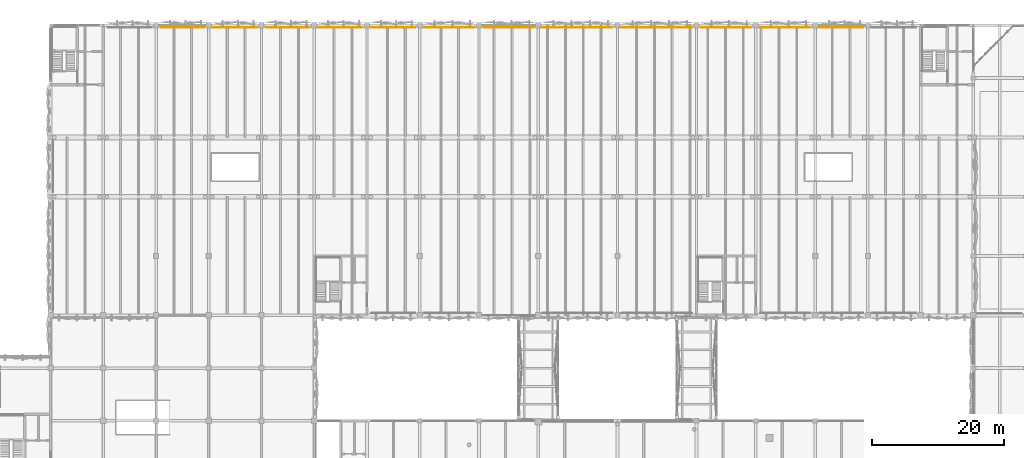
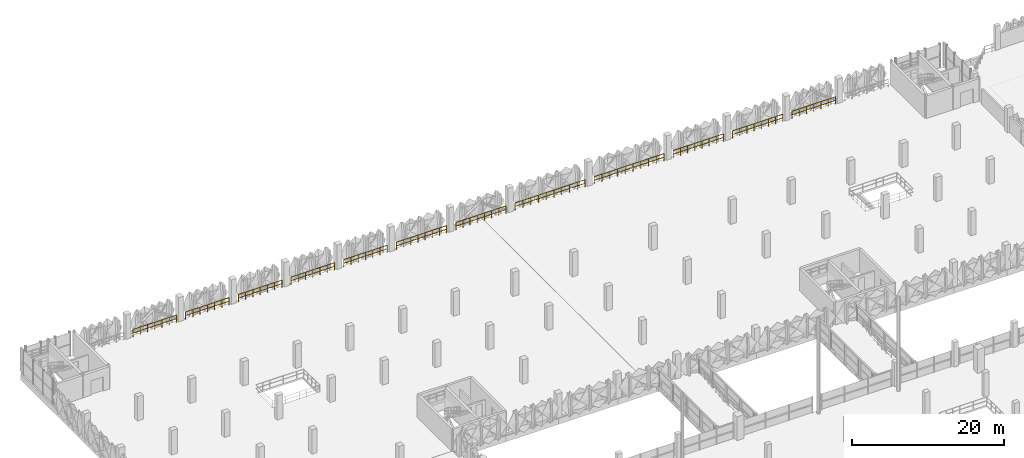
# One storey, part 122 of 123: 12 railings.
"""IFC4 building model written with IfcOpenShell, lengths in metres."""

from ifc_helpers import new_model, si_unit, derived_unit, direction, frame, origin, origin_2d, place, context, subcontext, project, spatial, circle, extrude, material, type_object, element, save


model = new_model("IFC4")

# Units and contexts
model_context = context("Model", 3, precision=1e-05, world=origin(), true_north=direction((0.0, 1.0)))
body_context = subcontext(model_context, "Body", "Model", "MODEL_VIEW")
ifc_project = project(units=[si_unit("LENGTHUNIT", "METRE"), si_unit("AREAUNIT", "SQUARE_METRE"), si_unit("VOLUMEUNIT", "CUBIC_METRE"), si_unit("PLANEANGLEUNIT", "RADIAN"), si_unit("MASSUNIT", "GRAM", prefix="KILO"), si_unit("THERMODYNAMICTEMPERATUREUNIT", "KELVIN"), derived_unit("THERMALTRANSMITTANCEUNIT", [(si_unit("POWERUNIT", "WATT"), 1), (si_unit("AREAUNIT", "SQUARE_METRE"), -1), (si_unit("THERMODYNAMICTEMPERATUREUNIT", "KELVIN"), -1)])], contexts=[model_context])

# Site, building, storey
site_placement = place(None, origin())
site = spatial("IfcSite", under=ifc_project, at=site_placement, CompositionType="ELEMENT")
building_placement = place(site_placement, origin())
building = spatial("IfcBuilding", under=site, at=building_placement, Name="Haiyu Intermodal Mobility Hub", CompositionType="ELEMENT")
storey_placement = place(building_placement, frame((0.0, 0.0, 5.60009765625)))
storey = spatial("IfcBuildingStorey", under=building, at=storey_placement, Name="L01", CompositionType="ELEMENT", Elevation=5.60009765625)

# Railings
ifc_material = material(Name="Steel Q355C", Category="steel")
railing_type = type_object("IfcRailingType", Name="RAL-GR01", PredefinedType="GUARDRAIL", material=ifc_material)
railing_1_placement = place(storey_placement, frame((45.300048828125, 147.659912109375, 0.0)))
element("IfcRailing", 1, at=railing_1_placement, inside=storey, type_object=railing_type, Name="RAL-CAR-N-0014", PredefinedType="GUARDRAIL", context=body_context, shape_type="SweptSolid", body=[
    extrude(circle(Radius=0.02392578125, at=origin_2d()), frame((-0.030029296875, 0.0, 1.17578125), z_axis=(-1.0, 0.0, 0.0), x_axis=(0.0, -1.0, 0.0)), (0.0, 0.0, 1.0), 6.5400390625),
    extrude(circle(Radius=0.02392578125, at=origin_2d()), frame((-0.037353515625, 0.0, 0.60009765625), z_axis=(-1.0, 0.0, 0.0), x_axis=(0.0, -1.0, 0.0)), (0.0, 0.0, 1.0), 1.025390625),
    extrude(circle(Radius=0.02392578125, at=origin_2d()), frame((-1.13720703125, 0.0, 0.60009765625), z_axis=(-1.0, 0.0, 0.0), x_axis=(0.0, -1.0, 0.0)), (0.0, 0.0, 1.0), 1.025390625),
    extrude(circle(Radius=0.02392578125, at=origin_2d()), frame((-2.2373046875, 0.0, 0.60009765625), z_axis=(-1.0, 0.0, 0.0), x_axis=(0.0, -1.0, 0.0)), (0.0, 0.0, 1.0), 1.025390625),
    extrude(circle(Radius=0.02392578125, at=origin_2d()), frame((-3.33740234375, 0.0, 0.60009765625), z_axis=(-1.0, 0.0, 0.0), x_axis=(0.0, -1.0, 0.0)), (0.0, 0.0, 1.0), 1.025390625),
    extrude(circle(Radius=0.02392578125, at=origin_2d()), frame((-4.437255859375, 0.0, 0.60009765625), z_axis=(-1.0, 0.0, 0.0), x_axis=(0.0, -1.0, 0.0)), (0.0, 0.0, 1.0), 1.025390625),
    extrude(circle(Radius=0.02392578125, at=origin_2d()), frame((-5.537353515625, 0.0, 0.60009765625), z_axis=(-1.0, 0.0, 0.0), x_axis=(0.0, -1.0, 0.0)), (0.0, 0.0, 1.0), 1.025390625),
    extrude(circle(Radius=0.02099609375, at=origin_2d()), origin(), (0.0, 0.0, 1.0), 1.143798828125),
    extrude(circle(Radius=0.02099609375, at=origin_2d()), frame((-1.10009765625, 0.0, 0.0)), (0.0, 0.0, 1.0), 1.143798828125),
    extrude(circle(Radius=0.02099609375, at=origin_2d()), frame((-2.199951171875, 0.0, 0.0)), (0.0, 0.0, 1.0), 1.143798828125),
    extrude(circle(Radius=0.02099609375, at=origin_2d()), frame((-3.300048828125, 0.0, 0.0)), (0.0, 0.0, 1.0), 1.143798828125),
    extrude(circle(Radius=0.02099609375, at=origin_2d()), frame((-4.400146484375, 0.0, 0.0)), (0.0, 0.0, 1.0), 1.143798828125),
    extrude(circle(Radius=0.02099609375, at=origin_2d()), frame((-5.5, 0.0, 0.0)), (0.0, 0.0, 1.0), 1.143798828125),
    extrude(circle(Radius=0.02099609375, at=origin_2d()), frame((-6.60009765625, 0.0, 0.0)), (0.0, 0.0, 1.0), 1.143798828125),
])
railing_2_placement = place(storey_placement, frame((53.300048828125, 147.659912109375, 0.0)))
element("IfcRailing", 2, at=railing_2_placement, inside=storey, type_object=railing_type, Name="RAL-CAR-N-0020", PredefinedType="GUARDRAIL", context=body_context, shape_type="SweptSolid", body=[
    extrude(circle(Radius=0.02392578125, at=origin_2d()), frame((-0.030029296875, 0.0, 1.17578125), z_axis=(-1.0, 0.0, 0.0), x_axis=(0.0, -1.0, 0.0)), (0.0, 0.0, 1.0), 6.5400390625),
    extrude(circle(Radius=0.02392578125, at=origin_2d()), frame((-0.037353515625, 0.0, 0.60009765625), z_axis=(-1.0, 0.0, 0.0), x_axis=(0.0, -1.0, 0.0)), (0.0, 0.0, 1.0), 1.025390625),
    extrude(circle(Radius=0.02392578125, at=origin_2d()), frame((-1.13720703125, 0.0, 0.60009765625), z_axis=(-1.0, 0.0, 0.0), x_axis=(0.0, -1.0, 0.0)), (0.0, 0.0, 1.0), 1.025390625),
    extrude(circle(Radius=0.02392578125, at=origin_2d()), frame((-2.2373046875, 0.0, 0.60009765625), z_axis=(-1.0, 0.0, 0.0), x_axis=(0.0, -1.0, 0.0)), (0.0, 0.0, 1.0), 1.025390625),
    extrude(circle(Radius=0.02392578125, at=origin_2d()), frame((-3.33740234375, 0.0, 0.60009765625), z_axis=(-1.0, 0.0, 0.0), x_axis=(0.0, -1.0, 0.0)), (0.0, 0.0, 1.0), 1.025390625),
    extrude(circle(Radius=0.02392578125, at=origin_2d()), frame((-4.437255859375, 0.0, 0.60009765625), z_axis=(-1.0, 0.0, 0.0), x_axis=(0.0, -1.0, 0.0)), (0.0, 0.0, 1.0), 1.025390625),
    extrude(circle(Radius=0.02392578125, at=origin_2d()), frame((-5.537353515625, 0.0, 0.60009765625), z_axis=(-1.0, 0.0, 0.0), x_axis=(0.0, -1.0, 0.0)), (0.0, 0.0, 1.0), 1.025390625),
    extrude(circle(Radius=0.02099609375, at=origin_2d()), origin(), (0.0, 0.0, 1.0), 1.143798828125),
    extrude(circle(Radius=0.02099609375, at=origin_2d()), frame((-1.10009765625, 0.0, 0.0)), (0.0, 0.0, 1.0), 1.143798828125),
    extrude(circle(Radius=0.02099609375, at=origin_2d()), frame((-2.199951171875, 0.0, 0.0)), (0.0, 0.0, 1.0), 1.143798828125),
    extrude(circle(Radius=0.02099609375, at=origin_2d()), frame((-3.300048828125, 0.0, 0.0)), (0.0, 0.0, 1.0), 1.143798828125),
    extrude(circle(Radius=0.02099609375, at=origin_2d()), frame((-4.400146484375, 0.0, 0.0)), (0.0, 0.0, 1.0), 1.143798828125),
    extrude(circle(Radius=0.02099609375, at=origin_2d()), frame((-5.5, 0.0, 0.0)), (0.0, 0.0, 1.0), 1.143798828125),
    extrude(circle(Radius=0.02099609375, at=origin_2d()), frame((-6.60009765625, 0.0, 0.0)), (0.0, 0.0, 1.0), 1.143798828125),
])
railing_3_placement = place(storey_placement, frame((61.300048828125, 147.659912109375, 0.0)))
element("IfcRailing", 3, at=railing_3_placement, inside=storey, type_object=railing_type, Name="RAL-CAR-N-0025", PredefinedType="GUARDRAIL", context=body_context, shape_type="SweptSolid", body=[
    extrude(circle(Radius=0.02392578125, at=origin_2d()), frame((-0.030029296875, 0.0, 1.17578125), z_axis=(-1.0, 0.0, 0.0), x_axis=(0.0, -1.0, 0.0)), (0.0, 0.0, 1.0), 6.5400390625),
    extrude(circle(Radius=0.02392578125, at=origin_2d()), frame((-0.037353515625, 0.0, 0.60009765625), z_axis=(-1.0, 0.0, 0.0), x_axis=(0.0, -1.0, 0.0)), (0.0, 0.0, 1.0), 1.025390625),
    extrude(circle(Radius=0.02392578125, at=origin_2d()), frame((-1.13720703125, 0.0, 0.60009765625), z_axis=(-1.0, 0.0, 0.0), x_axis=(0.0, -1.0, 0.0)), (0.0, 0.0, 1.0), 1.025390625),
    extrude(circle(Radius=0.02392578125, at=origin_2d()), frame((-2.2373046875, 0.0, 0.60009765625), z_axis=(-1.0, 0.0, 0.0), x_axis=(0.0, -1.0, 0.0)), (0.0, 0.0, 1.0), 1.025390625),
    extrude(circle(Radius=0.02392578125, at=origin_2d()), frame((-3.33740234375, 0.0, 0.60009765625), z_axis=(-1.0, 0.0, 0.0), x_axis=(0.0, -1.0, 0.0)), (0.0, 0.0, 1.0), 1.025390625),
    extrude(circle(Radius=0.02392578125, at=origin_2d()), frame((-4.437255859375, 0.0, 0.60009765625), z_axis=(-1.0, 0.0, 0.0), x_axis=(0.0, -1.0, 0.0)), (0.0, 0.0, 1.0), 1.025390625),
    extrude(circle(Radius=0.02392578125, at=origin_2d()), frame((-5.537353515625, 0.0, 0.60009765625), z_axis=(-1.0, 0.0, 0.0), x_axis=(0.0, -1.0, 0.0)), (0.0, 0.0, 1.0), 1.025390625),
    extrude(circle(Radius=0.02099609375, at=origin_2d()), origin(), (0.0, 0.0, 1.0), 1.143798828125),
    extrude(circle(Radius=0.02099609375, at=origin_2d()), frame((-1.10009765625, 0.0, 0.0)), (0.0, 0.0, 1.0), 1.143798828125),
    extrude(circle(Radius=0.02099609375, at=origin_2d()), frame((-2.199951171875, 0.0, 0.0)), (0.0, 0.0, 1.0), 1.143798828125),
    extrude(circle(Radius=0.02099609375, at=origin_2d()), frame((-3.300048828125, 0.0, 0.0)), (0.0, 0.0, 1.0), 1.143798828125),
    extrude(circle(Radius=0.02099609375, at=origin_2d()), frame((-4.400146484375, 0.0, 0.0)), (0.0, 0.0, 1.0), 1.143798828125),
    extrude(circle(Radius=0.02099609375, at=origin_2d()), frame((-5.5, 0.0, 0.0)), (0.0, 0.0, 1.0), 1.143798828125),
    extrude(circle(Radius=0.02099609375, at=origin_2d()), frame((-6.60009765625, 0.0, 0.0)), (0.0, 0.0, 1.0), 1.143798828125),
])
railing_4_placement = place(storey_placement, frame((69.300048828125, 147.659912109375, 0.0)))
element("IfcRailing", 4, at=railing_4_placement, inside=storey, type_object=railing_type, Name="RAL-CAR-N-0030", PredefinedType="GUARDRAIL", context=body_context, shape_type="SweptSolid", body=[
    extrude(circle(Radius=0.02392578125, at=origin_2d()), frame((-0.030029296875, 0.0, 1.17578125), z_axis=(-1.0, 0.0, 0.0), x_axis=(0.0, -1.0, 0.0)), (0.0, 0.0, 1.0), 6.5400390625),
    extrude(circle(Radius=0.02392578125, at=origin_2d()), frame((-0.037353515625, 0.0, 0.60009765625), z_axis=(-1.0, 0.0, 0.0), x_axis=(0.0, -1.0, 0.0)), (0.0, 0.0, 1.0), 1.025390625),
    extrude(circle(Radius=0.02392578125, at=origin_2d()), frame((-1.13720703125, 0.0, 0.60009765625), z_axis=(-1.0, 0.0, 0.0), x_axis=(0.0, -1.0, 0.0)), (0.0, 0.0, 1.0), 1.025390625),
    extrude(circle(Radius=0.02392578125, at=origin_2d()), frame((-2.2373046875, 0.0, 0.60009765625), z_axis=(-1.0, 0.0, 0.0), x_axis=(0.0, -1.0, 0.0)), (0.0, 0.0, 1.0), 1.025390625),
    extrude(circle(Radius=0.02392578125, at=origin_2d()), frame((-3.33740234375, 0.0, 0.60009765625), z_axis=(-1.0, 0.0, 0.0), x_axis=(0.0, -1.0, 0.0)), (0.0, 0.0, 1.0), 1.025390625),
    extrude(circle(Radius=0.02392578125, at=origin_2d()), frame((-4.437255859375, 0.0, 0.60009765625), z_axis=(-1.0, 0.0, 0.0), x_axis=(0.0, -1.0, 0.0)), (0.0, 0.0, 1.0), 1.025390625),
    extrude(circle(Radius=0.02392578125, at=origin_2d()), frame((-5.537353515625, 0.0, 0.60009765625), z_axis=(-1.0, 0.0, 0.0), x_axis=(0.0, -1.0, 0.0)), (0.0, 0.0, 1.0), 1.025390625),
    extrude(circle(Radius=0.02099609375, at=origin_2d()), origin(), (0.0, 0.0, 1.0), 1.143798828125),
    extrude(circle(Radius=0.02099609375, at=origin_2d()), frame((-1.10009765625, 0.0, 0.0)), (0.0, 0.0, 1.0), 1.143798828125),
    extrude(circle(Radius=0.02099609375, at=origin_2d()), frame((-2.199951171875, 0.0, 0.0)), (0.0, 0.0, 1.0), 1.143798828125),
    extrude(circle(Radius=0.02099609375, at=origin_2d()), frame((-3.300048828125, 0.0, 0.0)), (0.0, 0.0, 1.0), 1.143798828125),
    extrude(circle(Radius=0.02099609375, at=origin_2d()), frame((-4.400146484375, 0.0, 0.0)), (0.0, 0.0, 1.0), 1.143798828125),
    extrude(circle(Radius=0.02099609375, at=origin_2d()), frame((-5.5, 0.0, 0.0)), (0.0, 0.0, 1.0), 1.143798828125),
    extrude(circle(Radius=0.02099609375, at=origin_2d()), frame((-6.60009765625, 0.0, 0.0)), (0.0, 0.0, 1.0), 1.143798828125),
])
railing_5_placement = place(storey_placement, frame((77.300048828125, 147.659912109375, 0.0)))
element("IfcRailing", 5, at=railing_5_placement, inside=storey, type_object=railing_type, Name="RAL-CAR-N-0036", PredefinedType="GUARDRAIL", context=body_context, shape_type="SweptSolid", body=[
    extrude(circle(Radius=0.02392578125, at=origin_2d()), frame((-0.030029296875, 0.0, 1.17578125), z_axis=(-1.0, 0.0, 0.0), x_axis=(0.0, -1.0, 0.0)), (0.0, 0.0, 1.0), 6.5400390625),
    extrude(circle(Radius=0.02392578125, at=origin_2d()), frame((-0.037353515625, 0.0, 0.60009765625), z_axis=(-1.0, 0.0, 0.0), x_axis=(0.0, -1.0, 0.0)), (0.0, 0.0, 1.0), 1.025390625),
    extrude(circle(Radius=0.02392578125, at=origin_2d()), frame((-1.13720703125, 0.0, 0.60009765625), z_axis=(-1.0, 0.0, 0.0), x_axis=(0.0, -1.0, 0.0)), (0.0, 0.0, 1.0), 1.025390625),
    extrude(circle(Radius=0.02392578125, at=origin_2d()), frame((-2.2373046875, 0.0, 0.60009765625), z_axis=(-1.0, 0.0, 0.0), x_axis=(0.0, -1.0, 0.0)), (0.0, 0.0, 1.0), 1.025390625),
    extrude(circle(Radius=0.02392578125, at=origin_2d()), frame((-3.33740234375, 0.0, 0.60009765625), z_axis=(-1.0, 0.0, 0.0), x_axis=(0.0, -1.0, 0.0)), (0.0, 0.0, 1.0), 1.025390625),
    extrude(circle(Radius=0.02392578125, at=origin_2d()), frame((-4.437255859375, 0.0, 0.60009765625), z_axis=(-1.0, 0.0, 0.0), x_axis=(0.0, -1.0, 0.0)), (0.0, 0.0, 1.0), 1.025390625),
    extrude(circle(Radius=0.02392578125, at=origin_2d()), frame((-5.537353515625, 0.0, 0.60009765625), z_axis=(-1.0, 0.0, 0.0), x_axis=(0.0, -1.0, 0.0)), (0.0, 0.0, 1.0), 1.025390625),
    extrude(circle(Radius=0.02099609375, at=origin_2d()), origin(), (0.0, 0.0, 1.0), 1.143798828125),
    extrude(circle(Radius=0.02099609375, at=origin_2d()), frame((-1.10009765625, 0.0, 0.0)), (0.0, 0.0, 1.0), 1.143798828125),
    extrude(circle(Radius=0.02099609375, at=origin_2d()), frame((-2.199951171875, 0.0, 0.0)), (0.0, 0.0, 1.0), 1.143798828125),
    extrude(circle(Radius=0.02099609375, at=origin_2d()), frame((-3.300048828125, 0.0, 0.0)), (0.0, 0.0, 1.0), 1.143798828125),
    extrude(circle(Radius=0.02099609375, at=origin_2d()), frame((-4.400146484375, 0.0, 0.0)), (0.0, 0.0, 1.0), 1.143798828125),
    extrude(circle(Radius=0.02099609375, at=origin_2d()), frame((-5.5, 0.0, 0.0)), (0.0, 0.0, 1.0), 1.143798828125),
    extrude(circle(Radius=0.02099609375, at=origin_2d()), frame((-6.60009765625, 0.0, 0.0)), (0.0, 0.0, 1.0), 1.143798828125),
])
railing_6_placement = place(storey_placement, frame((86.300048828125, 147.659912109375, 0.0)))
element("IfcRailing", 6, at=railing_6_placement, inside=storey, type_object=railing_type, Name="RAL-CAR-N-0041", PredefinedType="GUARDRAIL", context=body_context, shape_type="SweptSolid", body=[
    extrude(circle(Radius=0.02392578125, at=origin_2d()), frame((-0.030029296875, 0.0, 1.17578125), z_axis=(-1.0, 0.0, 0.0), x_axis=(0.0, -1.0, 0.0)), (0.0, 0.0, 1.0), 7.5400390625),
    extrude(circle(Radius=0.02392578125, at=origin_2d()), frame((-0.037353515625, 0.0, 0.60009765625), z_axis=(-1.0, 0.0, 0.0), x_axis=(0.0, -1.0, 0.0)), (0.0, 0.0, 1.0), 1.01123046875),
    extrude(circle(Radius=0.02392578125, at=origin_2d()), frame((-1.123046875, 0.0, 0.60009765625), z_axis=(-1.0, 0.0, 0.0), x_axis=(0.0, -1.0, 0.0)), (0.0, 0.0, 1.0), 1.01123046875),
    extrude(circle(Radius=0.02392578125, at=origin_2d()), frame((-2.208740234375, 0.0, 0.60009765625), z_axis=(-1.0, 0.0, 0.0), x_axis=(0.0, -1.0, 0.0)), (0.0, 0.0, 1.0), 1.01123046875),
    extrude(circle(Radius=0.02392578125, at=origin_2d()), frame((-3.29443359375, 0.0, 0.60009765625), z_axis=(-1.0, 0.0, 0.0), x_axis=(0.0, -1.0, 0.0)), (0.0, 0.0, 1.0), 1.01123046875),
    extrude(circle(Radius=0.02392578125, at=origin_2d()), frame((-4.380126953125, 0.0, 0.60009765625), z_axis=(-1.0, 0.0, 0.0), x_axis=(0.0, -1.0, 0.0)), (0.0, 0.0, 1.0), 1.01123046875),
    extrude(circle(Radius=0.02392578125, at=origin_2d()), frame((-5.4658203125, 0.0, 0.60009765625), z_axis=(-1.0, 0.0, 0.0), x_axis=(0.0, -1.0, 0.0)), (0.0, 0.0, 1.0), 1.01123046875),
    extrude(circle(Radius=0.02392578125, at=origin_2d()), frame((-6.5517578125, 0.0, 0.60009765625), z_axis=(-1.0, 0.0, 0.0), x_axis=(0.0, -1.0, 0.0)), (0.0, 0.0, 1.0), 1.01123046875),
    extrude(circle(Radius=0.02099609375, at=origin_2d()), origin(), (0.0, 0.0, 1.0), 1.143798828125),
    extrude(circle(Radius=0.02099609375, at=origin_2d()), frame((-1.085693359375, 0.0, 0.0)), (0.0, 0.0, 1.0), 1.143798828125),
    extrude(circle(Radius=0.02099609375, at=origin_2d()), frame((-2.17138671875, 0.0, 0.0)), (0.0, 0.0, 1.0), 1.143798828125),
    extrude(circle(Radius=0.02099609375, at=origin_2d()), frame((-3.257080078125, 0.0, 0.0)), (0.0, 0.0, 1.0), 1.143798828125),
    extrude(circle(Radius=0.02099609375, at=origin_2d()), frame((-4.343017578125, 0.0, 0.0)), (0.0, 0.0, 1.0), 1.143798828125),
    extrude(circle(Radius=0.02099609375, at=origin_2d()), frame((-5.4287109375, 0.0, 0.0)), (0.0, 0.0, 1.0), 1.143798828125),
    extrude(circle(Radius=0.02099609375, at=origin_2d()), frame((-6.514404296875, 0.0, 0.0)), (0.0, 0.0, 1.0), 1.143798828125),
    extrude(circle(Radius=0.02099609375, at=origin_2d()), frame((-7.60009765625, 0.0, 0.0)), (0.0, 0.0, 1.0), 1.143798828125),
])
railing_7_placement = place(storey_placement, frame((95.300048828125, 147.659912109375, 0.0)))
element("IfcRailing", 7, at=railing_7_placement, inside=storey, type_object=railing_type, Name="RAL-CAR-N-0046", PredefinedType="GUARDRAIL", context=body_context, shape_type="SweptSolid", body=[
    extrude(circle(Radius=0.02392578125, at=origin_2d()), frame((-0.030029296875, 0.0, 1.17578125), z_axis=(-1.0, 0.0, 0.0), x_axis=(0.0, -1.0, 0.0)), (0.0, 0.0, 1.0), 7.5400390625),
    extrude(circle(Radius=0.02392578125, at=origin_2d()), frame((-0.037353515625, 0.0, 0.60009765625), z_axis=(-1.0, 0.0, 0.0), x_axis=(0.0, -1.0, 0.0)), (0.0, 0.0, 1.0), 1.01123046875),
    extrude(circle(Radius=0.02392578125, at=origin_2d()), frame((-1.123046875, 0.0, 0.60009765625), z_axis=(-1.0, 0.0, 0.0), x_axis=(0.0, -1.0, 0.0)), (0.0, 0.0, 1.0), 1.01123046875),
    extrude(circle(Radius=0.02392578125, at=origin_2d()), frame((-2.208740234375, 0.0, 0.60009765625), z_axis=(-1.0, 0.0, 0.0), x_axis=(0.0, -1.0, 0.0)), (0.0, 0.0, 1.0), 1.01123046875),
    extrude(circle(Radius=0.02392578125, at=origin_2d()), frame((-3.29443359375, 0.0, 0.60009765625), z_axis=(-1.0, 0.0, 0.0), x_axis=(0.0, -1.0, 0.0)), (0.0, 0.0, 1.0), 1.01123046875),
    extrude(circle(Radius=0.02392578125, at=origin_2d()), frame((-4.380126953125, 0.0, 0.60009765625), z_axis=(-1.0, 0.0, 0.0), x_axis=(0.0, -1.0, 0.0)), (0.0, 0.0, 1.0), 1.01123046875),
    extrude(circle(Radius=0.02392578125, at=origin_2d()), frame((-5.4658203125, 0.0, 0.60009765625), z_axis=(-1.0, 0.0, 0.0), x_axis=(0.0, -1.0, 0.0)), (0.0, 0.0, 1.0), 1.01123046875),
    extrude(circle(Radius=0.02392578125, at=origin_2d()), frame((-6.5517578125, 0.0, 0.60009765625), z_axis=(-1.0, 0.0, 0.0), x_axis=(0.0, -1.0, 0.0)), (0.0, 0.0, 1.0), 1.01123046875),
    extrude(circle(Radius=0.02099609375, at=origin_2d()), origin(), (0.0, 0.0, 1.0), 1.143798828125),
    extrude(circle(Radius=0.02099609375, at=origin_2d()), frame((-1.085693359375, 0.0, 0.0)), (0.0, 0.0, 1.0), 1.143798828125),
    extrude(circle(Radius=0.02099609375, at=origin_2d()), frame((-2.17138671875, 0.0, 0.0)), (0.0, 0.0, 1.0), 1.143798828125),
    extrude(circle(Radius=0.02099609375, at=origin_2d()), frame((-3.257080078125, 0.0, 0.0)), (0.0, 0.0, 1.0), 1.143798828125),
    extrude(circle(Radius=0.02099609375, at=origin_2d()), frame((-4.343017578125, 0.0, 0.0)), (0.0, 0.0, 1.0), 1.143798828125),
    extrude(circle(Radius=0.02099609375, at=origin_2d()), frame((-5.4287109375, 0.0, 0.0)), (0.0, 0.0, 1.0), 1.143798828125),
    extrude(circle(Radius=0.02099609375, at=origin_2d()), frame((-6.514404296875, 0.0, 0.0)), (0.0, 0.0, 1.0), 1.143798828125),
    extrude(circle(Radius=0.02099609375, at=origin_2d()), frame((-7.60009765625, 0.0, 0.0)), (0.0, 0.0, 1.0), 1.143798828125),
])
railing_8_placement = place(storey_placement, frame((107.300048828125, 147.659912109375, 0.0)))
element("IfcRailing", 8, at=railing_8_placement, inside=storey, type_object=railing_type, Name="RAL-CAR-N-0051", PredefinedType="GUARDRAIL", context=body_context, shape_type="SweptSolid", body=[
    extrude(circle(Radius=0.02392578125, at=origin_2d()), frame((-0.030029296875, 0.0, 1.17578125), z_axis=(-1.0, 0.0, 0.0), x_axis=(0.0, -1.0, 0.0)), (0.0, 0.0, 1.0), 10.5400390625),
    extrude(circle(Radius=0.02392578125, at=origin_2d()), frame((-0.037353515625, 0.0, 0.60009765625), z_axis=(-1.0, 0.0, 0.0), x_axis=(0.0, -1.0, 0.0)), (0.0, 0.0, 1.0), 1.103271484375),
    extrude(circle(Radius=0.02392578125, at=origin_2d()), frame((-1.215087890625, 0.0, 0.60009765625), z_axis=(-1.0, 0.0, 0.0), x_axis=(0.0, -1.0, 0.0)), (0.0, 0.0, 1.0), 1.103271484375),
    extrude(circle(Radius=0.02392578125, at=origin_2d()), frame((-2.392822265625, 0.0, 0.60009765625), z_axis=(-1.0, 0.0, 0.0), x_axis=(0.0, -1.0, 0.0)), (0.0, 0.0, 1.0), 1.103271484375),
    extrude(circle(Radius=0.02392578125, at=origin_2d()), frame((-3.570556640625, 0.0, 0.60009765625), z_axis=(-1.0, 0.0, 0.0), x_axis=(0.0, -1.0, 0.0)), (0.0, 0.0, 1.0), 1.103271484375),
    extrude(circle(Radius=0.02392578125, at=origin_2d()), frame((-4.74853515625, 0.0, 0.60009765625), z_axis=(-1.0, 0.0, 0.0), x_axis=(0.0, -1.0, 0.0)), (0.0, 0.0, 1.0), 1.103271484375),
    extrude(circle(Radius=0.02392578125, at=origin_2d()), frame((-5.92626953125, 0.0, 0.60009765625), z_axis=(-1.0, 0.0, 0.0), x_axis=(0.0, -1.0, 0.0)), (0.0, 0.0, 1.0), 1.103271484375),
    extrude(circle(Radius=0.02392578125, at=origin_2d()), frame((-7.10400390625, 0.0, 0.60009765625), z_axis=(-1.0, 0.0, 0.0), x_axis=(0.0, -1.0, 0.0)), (0.0, 0.0, 1.0), 1.103271484375),
    extrude(circle(Radius=0.02392578125, at=origin_2d()), frame((-8.28173828125, 0.0, 0.60009765625), z_axis=(-1.0, 0.0, 0.0), x_axis=(0.0, -1.0, 0.0)), (0.0, 0.0, 1.0), 1.103271484375),
    extrude(circle(Radius=0.02392578125, at=origin_2d()), frame((-9.459716796875, 0.0, 0.60009765625), z_axis=(-1.0, 0.0, 0.0), x_axis=(0.0, -1.0, 0.0)), (0.0, 0.0, 1.0), 1.103271484375),
    extrude(circle(Radius=0.02099609375, at=origin_2d()), origin(), (0.0, 0.0, 1.0), 1.143798828125),
    extrude(circle(Radius=0.02099609375, at=origin_2d()), frame((-1.177734375, 0.0, 0.0)), (0.0, 0.0, 1.0), 1.143798828125),
    extrude(circle(Radius=0.02099609375, at=origin_2d()), frame((-2.35546875, 0.0, 0.0)), (0.0, 0.0, 1.0), 1.143798828125),
    extrude(circle(Radius=0.02099609375, at=origin_2d()), frame((-3.533447265625, 0.0, 0.0)), (0.0, 0.0, 1.0), 1.143798828125),
    extrude(circle(Radius=0.02099609375, at=origin_2d()), frame((-4.711181640625, 0.0, 0.0)), (0.0, 0.0, 1.0), 1.143798828125),
    extrude(circle(Radius=0.02099609375, at=origin_2d()), frame((-5.888916015625, 0.0, 0.0)), (0.0, 0.0, 1.0), 1.143798828125),
    extrude(circle(Radius=0.02099609375, at=origin_2d()), frame((-7.066650390625, 0.0, 0.0)), (0.0, 0.0, 1.0), 1.143798828125),
    extrude(circle(Radius=0.02099609375, at=origin_2d()), frame((-8.24462890625, 0.0, 0.0)), (0.0, 0.0, 1.0), 1.143798828125),
    extrude(circle(Radius=0.02099609375, at=origin_2d()), frame((-9.42236328125, 0.0, 0.0)), (0.0, 0.0, 1.0), 1.143798828125),
    extrude(circle(Radius=0.02099609375, at=origin_2d()), frame((-10.60009765625, 0.0, 0.0)), (0.0, 0.0, 1.0), 1.143798828125),
])
railing_9_placement = place(storey_placement, frame((119.300048828125, 147.659912109375, 0.0)))
element("IfcRailing", 9, at=railing_9_placement, inside=storey, type_object=railing_type, Name="RAL-CAR-N-0056", PredefinedType="GUARDRAIL", context=body_context, shape_type="SweptSolid", body=[
    extrude(circle(Radius=0.02392578125, at=origin_2d()), frame((-0.030029296875, 0.0, 1.17578125), z_axis=(-1.0, 0.0, 0.0), x_axis=(0.0, -1.0, 0.0)), (0.0, 0.0, 1.0), 10.5400390625),
    extrude(circle(Radius=0.02392578125, at=origin_2d()), frame((-0.037353515625, 0.0, 0.60009765625), z_axis=(-1.0, 0.0, 0.0), x_axis=(0.0, -1.0, 0.0)), (0.0, 0.0, 1.0), 1.103271484375),
    extrude(circle(Radius=0.02392578125, at=origin_2d()), frame((-1.215087890625, 0.0, 0.60009765625), z_axis=(-1.0, 0.0, 0.0), x_axis=(0.0, -1.0, 0.0)), (0.0, 0.0, 1.0), 1.103271484375),
    extrude(circle(Radius=0.02392578125, at=origin_2d()), frame((-2.392822265625, 0.0, 0.60009765625), z_axis=(-1.0, 0.0, 0.0), x_axis=(0.0, -1.0, 0.0)), (0.0, 0.0, 1.0), 1.103271484375),
    extrude(circle(Radius=0.02392578125, at=origin_2d()), frame((-3.570556640625, 0.0, 0.60009765625), z_axis=(-1.0, 0.0, 0.0), x_axis=(0.0, -1.0, 0.0)), (0.0, 0.0, 1.0), 1.103271484375),
    extrude(circle(Radius=0.02392578125, at=origin_2d()), frame((-4.74853515625, 0.0, 0.60009765625), z_axis=(-1.0, 0.0, 0.0), x_axis=(0.0, -1.0, 0.0)), (0.0, 0.0, 1.0), 1.103271484375),
    extrude(circle(Radius=0.02392578125, at=origin_2d()), frame((-5.92626953125, 0.0, 0.60009765625), z_axis=(-1.0, 0.0, 0.0), x_axis=(0.0, -1.0, 0.0)), (0.0, 0.0, 1.0), 1.103271484375),
    extrude(circle(Radius=0.02392578125, at=origin_2d()), frame((-7.10400390625, 0.0, 0.60009765625), z_axis=(-1.0, 0.0, 0.0), x_axis=(0.0, -1.0, 0.0)), (0.0, 0.0, 1.0), 1.103271484375),
    extrude(circle(Radius=0.02392578125, at=origin_2d()), frame((-8.28173828125, 0.0, 0.60009765625), z_axis=(-1.0, 0.0, 0.0), x_axis=(0.0, -1.0, 0.0)), (0.0, 0.0, 1.0), 1.103271484375),
    extrude(circle(Radius=0.02392578125, at=origin_2d()), frame((-9.459716796875, 0.0, 0.60009765625), z_axis=(-1.0, 0.0, 0.0), x_axis=(0.0, -1.0, 0.0)), (0.0, 0.0, 1.0), 1.103271484375),
    extrude(circle(Radius=0.02099609375, at=origin_2d()), origin(), (0.0, 0.0, 1.0), 1.143798828125),
    extrude(circle(Radius=0.02099609375, at=origin_2d()), frame((-1.177734375, 0.0, 0.0)), (0.0, 0.0, 1.0), 1.143798828125),
    extrude(circle(Radius=0.02099609375, at=origin_2d()), frame((-2.35546875, 0.0, 0.0)), (0.0, 0.0, 1.0), 1.143798828125),
    extrude(circle(Radius=0.02099609375, at=origin_2d()), frame((-3.533447265625, 0.0, 0.0)), (0.0, 0.0, 1.0), 1.143798828125),
    extrude(circle(Radius=0.02099609375, at=origin_2d()), frame((-4.711181640625, 0.0, 0.0)), (0.0, 0.0, 1.0), 1.143798828125),
    extrude(circle(Radius=0.02099609375, at=origin_2d()), frame((-5.888916015625, 0.0, 0.0)), (0.0, 0.0, 1.0), 1.143798828125),
    extrude(circle(Radius=0.02099609375, at=origin_2d()), frame((-7.066650390625, 0.0, 0.0)), (0.0, 0.0, 1.0), 1.143798828125),
    extrude(circle(Radius=0.02099609375, at=origin_2d()), frame((-8.24462890625, 0.0, 0.0)), (0.0, 0.0, 1.0), 1.143798828125),
    extrude(circle(Radius=0.02099609375, at=origin_2d()), frame((-9.42236328125, 0.0, 0.0)), (0.0, 0.0, 1.0), 1.143798828125),
    extrude(circle(Radius=0.02099609375, at=origin_2d()), frame((-10.60009765625, 0.0, 0.0)), (0.0, 0.0, 1.0), 1.143798828125),
])
railing_10_placement = place(storey_placement, frame((128.300048828125, 147.659912109375, 0.0)))
element("IfcRailing", 10, at=railing_10_placement, inside=storey, type_object=railing_type, Name="RAL-CAR-N-0061", PredefinedType="GUARDRAIL", context=body_context, shape_type="SweptSolid", body=[
    extrude(circle(Radius=0.02392578125, at=origin_2d()), frame((-0.030029296875, 0.0, 1.17578125), z_axis=(-1.0, 0.0, 0.0), x_axis=(0.0, -1.0, 0.0)), (0.0, 0.0, 1.0), 7.5400390625),
    extrude(circle(Radius=0.02392578125, at=origin_2d()), frame((-0.037353515625, 0.0, 0.60009765625), z_axis=(-1.0, 0.0, 0.0), x_axis=(0.0, -1.0, 0.0)), (0.0, 0.0, 1.0), 1.01123046875),
    extrude(circle(Radius=0.02392578125, at=origin_2d()), frame((-1.123046875, 0.0, 0.60009765625), z_axis=(-1.0, 0.0, 0.0), x_axis=(0.0, -1.0, 0.0)), (0.0, 0.0, 1.0), 1.01123046875),
    extrude(circle(Radius=0.02392578125, at=origin_2d()), frame((-2.208740234375, 0.0, 0.60009765625), z_axis=(-1.0, 0.0, 0.0), x_axis=(0.0, -1.0, 0.0)), (0.0, 0.0, 1.0), 1.01123046875),
    extrude(circle(Radius=0.02392578125, at=origin_2d()), frame((-3.29443359375, 0.0, 0.60009765625), z_axis=(-1.0, 0.0, 0.0), x_axis=(0.0, -1.0, 0.0)), (0.0, 0.0, 1.0), 1.01123046875),
    extrude(circle(Radius=0.02392578125, at=origin_2d()), frame((-4.380126953125, 0.0, 0.60009765625), z_axis=(-1.0, 0.0, 0.0), x_axis=(0.0, -1.0, 0.0)), (0.0, 0.0, 1.0), 1.01123046875),
    extrude(circle(Radius=0.02392578125, at=origin_2d()), frame((-5.4658203125, 0.0, 0.60009765625), z_axis=(-1.0, 0.0, 0.0), x_axis=(0.0, -1.0, 0.0)), (0.0, 0.0, 1.0), 1.01123046875),
    extrude(circle(Radius=0.02392578125, at=origin_2d()), frame((-6.5517578125, 0.0, 0.60009765625), z_axis=(-1.0, 0.0, 0.0), x_axis=(0.0, -1.0, 0.0)), (0.0, 0.0, 1.0), 1.01123046875),
    extrude(circle(Radius=0.02099609375, at=origin_2d()), origin(), (0.0, 0.0, 1.0), 1.143798828125),
    extrude(circle(Radius=0.02099609375, at=origin_2d()), frame((-1.085693359375, 0.0, 0.0)), (0.0, 0.0, 1.0), 1.143798828125),
    extrude(circle(Radius=0.02099609375, at=origin_2d()), frame((-2.17138671875, 0.0, 0.0)), (0.0, 0.0, 1.0), 1.143798828125),
    extrude(circle(Radius=0.02099609375, at=origin_2d()), frame((-3.257080078125, 0.0, 0.0)), (0.0, 0.0, 1.0), 1.143798828125),
    extrude(circle(Radius=0.02099609375, at=origin_2d()), frame((-4.343017578125, 0.0, 0.0)), (0.0, 0.0, 1.0), 1.143798828125),
    extrude(circle(Radius=0.02099609375, at=origin_2d()), frame((-5.4287109375, 0.0, 0.0)), (0.0, 0.0, 1.0), 1.143798828125),
    extrude(circle(Radius=0.02099609375, at=origin_2d()), frame((-6.514404296875, 0.0, 0.0)), (0.0, 0.0, 1.0), 1.143798828125),
    extrude(circle(Radius=0.02099609375, at=origin_2d()), frame((-7.60009765625, 0.0, 0.0)), (0.0, 0.0, 1.0), 1.143798828125),
])
railing_11_placement = place(storey_placement, frame((137.300048828125, 147.659912109375, 0.0)))
element("IfcRailing", 11, at=railing_11_placement, inside=storey, type_object=railing_type, Name="RAL-CAR-N-0067", PredefinedType="GUARDRAIL", context=body_context, shape_type="SweptSolid", body=[
    extrude(circle(Radius=0.02392578125, at=origin_2d()), frame((-0.030029296875, 0.0, 1.17578125), z_axis=(-1.0, 0.0, 0.0), x_axis=(0.0, -1.0, 0.0)), (0.0, 0.0, 1.0), 7.5400390625),
    extrude(circle(Radius=0.02392578125, at=origin_2d()), frame((-0.037353515625, 0.0, 0.60009765625), z_axis=(-1.0, 0.0, 0.0), x_axis=(0.0, -1.0, 0.0)), (0.0, 0.0, 1.0), 1.01123046875),
    extrude(circle(Radius=0.02392578125, at=origin_2d()), frame((-1.123046875, 0.0, 0.60009765625), z_axis=(-1.0, 0.0, 0.0), x_axis=(0.0, -1.0, 0.0)), (0.0, 0.0, 1.0), 1.01123046875),
    extrude(circle(Radius=0.02392578125, at=origin_2d()), frame((-2.208740234375, 0.0, 0.60009765625), z_axis=(-1.0, 0.0, 0.0), x_axis=(0.0, -1.0, 0.0)), (0.0, 0.0, 1.0), 1.01123046875),
    extrude(circle(Radius=0.02392578125, at=origin_2d()), frame((-3.29443359375, 0.0, 0.60009765625), z_axis=(-1.0, 0.0, 0.0), x_axis=(0.0, -1.0, 0.0)), (0.0, 0.0, 1.0), 1.01123046875),
    extrude(circle(Radius=0.02392578125, at=origin_2d()), frame((-4.380126953125, 0.0, 0.60009765625), z_axis=(-1.0, 0.0, 0.0), x_axis=(0.0, -1.0, 0.0)), (0.0, 0.0, 1.0), 1.01123046875),
    extrude(circle(Radius=0.02392578125, at=origin_2d()), frame((-5.4658203125, 0.0, 0.60009765625), z_axis=(-1.0, 0.0, 0.0), x_axis=(0.0, -1.0, 0.0)), (0.0, 0.0, 1.0), 1.01123046875),
    extrude(circle(Radius=0.02392578125, at=origin_2d()), frame((-6.5517578125, 0.0, 0.60009765625), z_axis=(-1.0, 0.0, 0.0), x_axis=(0.0, -1.0, 0.0)), (0.0, 0.0, 1.0), 1.01123046875),
    extrude(circle(Radius=0.02099609375, at=origin_2d()), origin(), (0.0, 0.0, 1.0), 1.143798828125),
    extrude(circle(Radius=0.02099609375, at=origin_2d()), frame((-1.085693359375, 0.0, 0.0)), (0.0, 0.0, 1.0), 1.143798828125),
    extrude(circle(Radius=0.02099609375, at=origin_2d()), frame((-2.17138671875, 0.0, 0.0)), (0.0, 0.0, 1.0), 1.143798828125),
    extrude(circle(Radius=0.02099609375, at=origin_2d()), frame((-3.257080078125, 0.0, 0.0)), (0.0, 0.0, 1.0), 1.143798828125),
    extrude(circle(Radius=0.02099609375, at=origin_2d()), frame((-4.343017578125, 0.0, 0.0)), (0.0, 0.0, 1.0), 1.143798828125),
    extrude(circle(Radius=0.02099609375, at=origin_2d()), frame((-5.4287109375, 0.0, 0.0)), (0.0, 0.0, 1.0), 1.143798828125),
    extrude(circle(Radius=0.02099609375, at=origin_2d()), frame((-6.514404296875, 0.0, 0.0)), (0.0, 0.0, 1.0), 1.143798828125),
    extrude(circle(Radius=0.02099609375, at=origin_2d()), frame((-7.60009765625, 0.0, 0.0)), (0.0, 0.0, 1.0), 1.143798828125),
])
railing_12_placement = place(storey_placement, frame((145.300048828125, 147.659912109375, 0.0)))
element("IfcRailing", 12, at=railing_12_placement, inside=storey, type_object=railing_type, Name="RAL-CAR-N-0072", PredefinedType="GUARDRAIL", context=body_context, shape_type="SweptSolid", body=[
    extrude(circle(Radius=0.02392578125, at=origin_2d()), frame((-0.030029296875, 0.0, 1.17578125), z_axis=(-1.0, 0.0, 0.0), x_axis=(0.0, -1.0, 0.0)), (0.0, 0.0, 1.0), 6.5400390625),
    extrude(circle(Radius=0.02392578125, at=origin_2d()), frame((-0.037353515625, 0.0, 0.60009765625), z_axis=(-1.0, 0.0, 0.0), x_axis=(0.0, -1.0, 0.0)), (0.0, 0.0, 1.0), 1.025390625),
    extrude(circle(Radius=0.02392578125, at=origin_2d()), frame((-1.13720703125, 0.0, 0.60009765625), z_axis=(-1.0, 0.0, 0.0), x_axis=(0.0, -1.0, 0.0)), (0.0, 0.0, 1.0), 1.025390625),
    extrude(circle(Radius=0.02392578125, at=origin_2d()), frame((-2.2373046875, 0.0, 0.60009765625), z_axis=(-1.0, 0.0, 0.0), x_axis=(0.0, -1.0, 0.0)), (0.0, 0.0, 1.0), 1.025390625),
    extrude(circle(Radius=0.02392578125, at=origin_2d()), frame((-3.33740234375, 0.0, 0.60009765625), z_axis=(-1.0, 0.0, 0.0), x_axis=(0.0, -1.0, 0.0)), (0.0, 0.0, 1.0), 1.025390625),
    extrude(circle(Radius=0.02392578125, at=origin_2d()), frame((-4.437255859375, 0.0, 0.60009765625), z_axis=(-1.0, 0.0, 0.0), x_axis=(0.0, -1.0, 0.0)), (0.0, 0.0, 1.0), 1.025390625),
    extrude(circle(Radius=0.02392578125, at=origin_2d()), frame((-5.537353515625, 0.0, 0.60009765625), z_axis=(-1.0, 0.0, 0.0), x_axis=(0.0, -1.0, 0.0)), (0.0, 0.0, 1.0), 1.025390625),
    extrude(circle(Radius=0.02099609375, at=origin_2d()), origin(), (0.0, 0.0, 1.0), 1.143798828125),
    extrude(circle(Radius=0.02099609375, at=origin_2d()), frame((-1.10009765625, 0.0, 0.0)), (0.0, 0.0, 1.0), 1.143798828125),
    extrude(circle(Radius=0.02099609375, at=origin_2d()), frame((-2.199951171875, 0.0, 0.0)), (0.0, 0.0, 1.0), 1.143798828125),
    extrude(circle(Radius=0.02099609375, at=origin_2d()), frame((-3.300048828125, 0.0, 0.0)), (0.0, 0.0, 1.0), 1.143798828125),
    extrude(circle(Radius=0.02099609375, at=origin_2d()), frame((-4.400146484375, 0.0, 0.0)), (0.0, 0.0, 1.0), 1.143798828125),
    extrude(circle(Radius=0.02099609375, at=origin_2d()), frame((-5.5, 0.0, 0.0)), (0.0, 0.0, 1.0), 1.143798828125),
    extrude(circle(Radius=0.02099609375, at=origin_2d()), frame((-6.60009765625, 0.0, 0.0)), (0.0, 0.0, 1.0), 1.143798828125),
])

save(model, "model.ifc")
